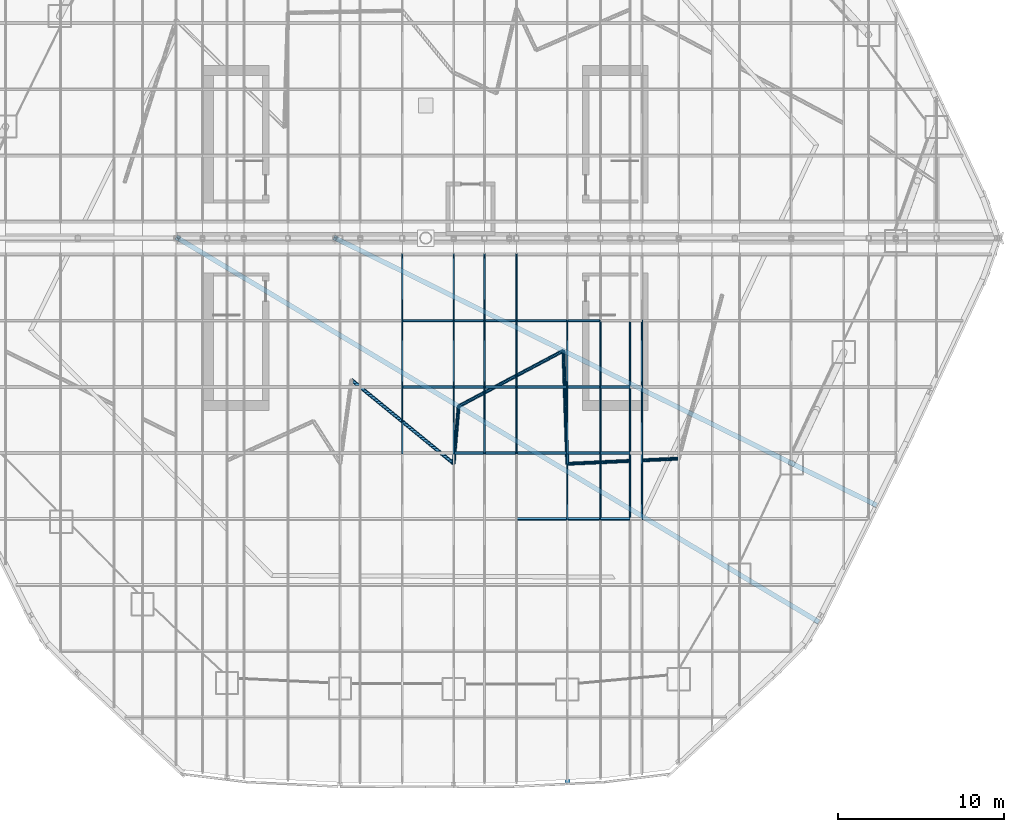
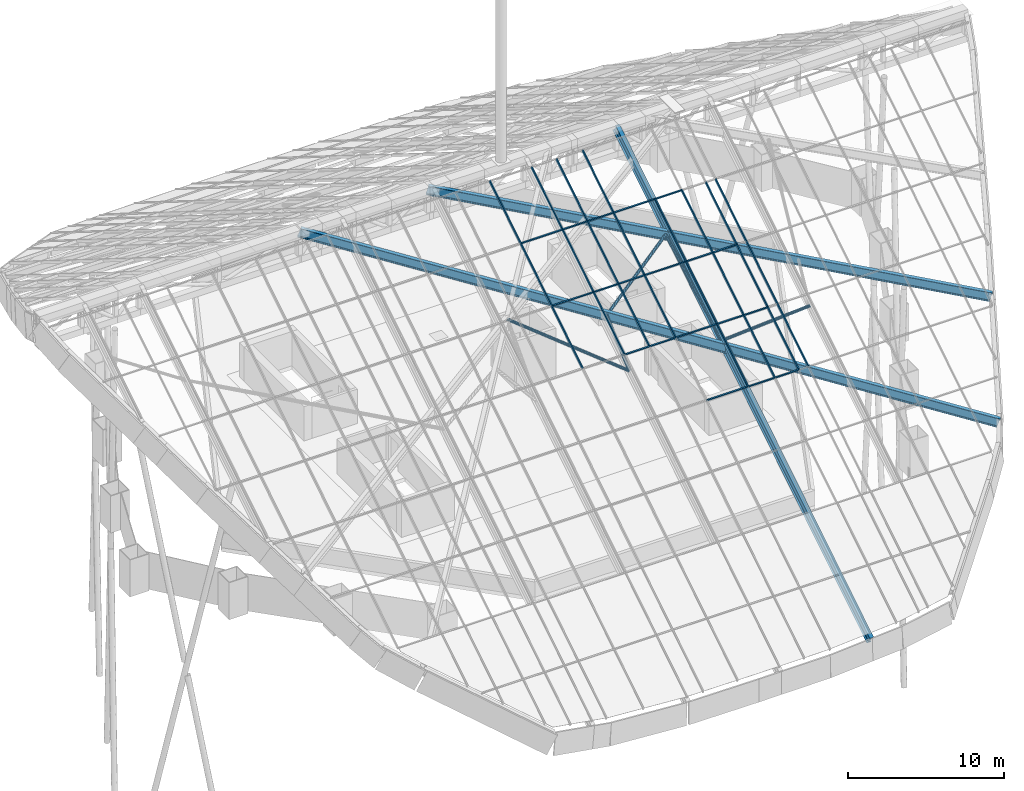
# One storey, part 7 of 38: 51 members, 26 elements without a shape of their own.
"""IFC4 building model written with IfcOpenShell, lengths in metres."""

from ifc_helpers import new_model, si_unit, direction, frame, origin, origin_2d, place, context, subcontext, project, spatial, rectangle, hollow_circle, i_section, extrude, material, layer, layer_set, material_profile, profile_set, type_object, element, aggregate, save


model = new_model("IFC4")

# Units and contexts
model_context = context("Model", 3, precision=1e-05, world=origin(), true_north=direction((0.0, 1.0)))
body_context = subcontext(model_context, "Body", "Model", "MODEL_VIEW")
ifc_project = project(units=[si_unit("LENGTHUNIT", "METRE"), si_unit("AREAUNIT", "SQUARE_METRE"), si_unit("VOLUMEUNIT", "CUBIC_METRE"), si_unit("PLANEANGLEUNIT", "RADIAN"), si_unit("MASSUNIT", "GRAM", prefix="KILO")], contexts=[model_context])

# Site, building, storey
site_placement = place(None, origin())
site = spatial("IfcSite", under=ifc_project, at=site_placement, CompositionType="ELEMENT")
building_placement = place(site_placement, origin())
building = spatial("IfcBuilding", under=site, at=building_placement, Name="Dongbaek Canopy Tower", CompositionType="ELEMENT")
storey_placement = place(building_placement, frame((0.0, 0.0, 375.800048828125)))
storey = spatial("IfcBuildingStorey", under=building, at=storey_placement, Name="Roof", CompositionType="ELEMENT", Elevation=375.800048828125)

# Curtain wall, member
ifc_material_1 = material(Name="Aluminium 6063-T6 pale anodised", Category="aluminium")
ifc_layer = layer(ifc_material_1, 0.199951171875)
ifc_layer_set = layer_set([ifc_layer], Name="CW-6 canopy glazing curtain wall")
curtain_wall_type = type_object("IfcCurtainWallType", Name="CW-6 canopy glazing curtain wall", PredefinedType="NOTDEFINED", material=ifc_layer_set)
curtain_wall_1_placement = place(storey_placement, origin())
curtain_wall_1 = element("IfcCurtainWall", 1, at=curtain_wall_1_placement, inside=storey, type_object=curtain_wall_type, Name="CW-6 canopy glazing south 15.1", PredefinedType="NOTDEFINED")
ifc_material_2 = material(Name="Aluminium 6063-T6 pale anodised", Category="aluminium")
ifc_material_profile_1 = material_profile(ifc_material_2, rectangle(XDim=0.080078125, YDim=0.199951171875, at=origin_2d()), Name="CW-6 mullion 80 x 200")
ifc_profile_set_1 = profile_set([ifc_material_profile_1], Name="Aluminium 6063-T6 pale anodised")
member_type_1 = type_object("IfcMemberType", Name="CW-6 mullion 80 x 200", PredefinedType="MULLION", material=ifc_profile_set_1)
member_1_placement = place(storey_placement, frame((-1.41796875, -1.0, 18.0986328125), z_axis=(0.0, -0.848068327403, -0.529886886095), x_axis=(1.0, 0.0, 0.0)))
member_1 = element("IfcMember", 2, at=member_1_placement, type_object=member_type_1, Name="CW-6 mullion S15.1.-1.4", PredefinedType="MULLION", context=body_context, shape_type="SweptSolid", body=[
    extrude(rectangle(XDim=0.080078125, YDim=0.199951171875, at=origin_2d()), origin(), (0.0, 0.0, 1.0), 4.700439453125),
])
aggregate(curtain_wall_1, [member_1])

curtain_wall_2_placement = place(storey_placement, origin())
curtain_wall_2 = element("IfcCurtainWall", 3, at=curtain_wall_2_placement, inside=storey, type_object=curtain_wall_type, Name="CW-6 canopy glazing south 15.2", PredefinedType="NOTDEFINED")
member_2_placement = place(storey_placement, frame((-1.41796875, -4.986328125, 15.60791015625), z_axis=(0.0, -0.848030400431, -0.529947582262), x_axis=(1.0, 0.0, 0.0)))
member_2 = element("IfcMember", 4, at=member_2_placement, type_object=member_type_1, Name="CW-6 mullion S15.2.-1.4", PredefinedType="MULLION", context=body_context, shape_type="SweptSolid", body=[
    extrude(rectangle(XDim=0.080078125, YDim=0.199951171875, at=origin_2d()), origin(), (0.0, 0.0, 1.0), 4.700439453125),
])
aggregate(curtain_wall_2, [member_2])

curtain_wall_3_placement = place(storey_placement, origin())
curtain_wall_3 = element("IfcCurtainWall", 5, at=curtain_wall_3_placement, inside=storey, type_object=curtain_wall_type, Name="CW-6 canopy glazing south 15.3", PredefinedType="NOTDEFINED")
member_3_placement = place(storey_placement, frame((-1.41796875, -8.972412109375, 13.116943359375), z_axis=(0.0, -0.848068327403, -0.529886886095), x_axis=(1.0, 0.0, 0.0)))
member_3 = element("IfcMember", 6, at=member_3_placement, type_object=member_type_1, Name="CW-6 mullion S15.3.-1.4", PredefinedType="MULLION", context=body_context, shape_type="SweptSolid", body=[
    extrude(rectangle(XDim=0.080078125, YDim=0.199951171875, at=origin_2d()), origin(), (0.0, 0.0, 1.0), 4.700439453125),
])
aggregate(curtain_wall_3, [member_3])

curtain_wall_4_placement = place(storey_placement, origin())
curtain_wall_4 = element("IfcCurtainWall", 7, at=curtain_wall_4_placement, inside=storey, type_object=curtain_wall_type, Name="CW-6 canopy glazing south 16.1", PredefinedType="NOTDEFINED")
member_4_placement = place(storey_placement, frame((1.68310546875, -1.0, 18.0986328125), z_axis=(0.0, -0.848068327403, -0.529886886095), x_axis=(1.0, 0.0, 0.0)))
member_4 = element("IfcMember", 8, at=member_4_placement, type_object=member_type_1, Name="CW-6 mullion S16.1.1.7", PredefinedType="MULLION", context=body_context, shape_type="SweptSolid", body=[
    extrude(rectangle(XDim=0.080078125, YDim=0.199951171875, at=origin_2d()), origin(), (0.0, 0.0, 1.0), 4.700439453125),
])

curtain_wall_5_placement = place(storey_placement, origin())
curtain_wall_5 = element("IfcCurtainWall", 9, at=curtain_wall_5_placement, inside=storey, type_object=curtain_wall_type, Name="CW-6 canopy glazing south 16.2", PredefinedType="NOTDEFINED")
member_5_placement = place(storey_placement, frame((1.68310546875, -4.986328125, 15.60791015625), z_axis=(0.0, -0.848030400431, -0.529947582262), x_axis=(1.0, 0.0, 0.0)))
member_5 = element("IfcMember", 10, at=member_5_placement, type_object=member_type_1, Name="CW-6 mullion S16.2.1.7", PredefinedType="MULLION", context=body_context, shape_type="SweptSolid", body=[
    extrude(rectangle(XDim=0.080078125, YDim=0.199951171875, at=origin_2d()), origin(), (0.0, 0.0, 1.0), 4.700439453125),
])

curtain_wall_6_placement = place(storey_placement, origin())
curtain_wall_6 = element("IfcCurtainWall", 11, at=curtain_wall_6_placement, inside=storey, type_object=curtain_wall_type, Name="CW-6 canopy glazing south 16.3", PredefinedType="NOTDEFINED")
member_6_placement = place(storey_placement, frame((1.68310546875, -8.972412109375, 13.116943359375), z_axis=(0.0, -0.848068327403, -0.529886886095), x_axis=(1.0, 0.0, 0.0)))
member_6 = element("IfcMember", 12, at=member_6_placement, type_object=member_type_1, Name="CW-6 mullion S16.3.1.7", PredefinedType="MULLION", context=body_context, shape_type="SweptSolid", body=[
    extrude(rectangle(XDim=0.080078125, YDim=0.199951171875, at=origin_2d()), origin(), (0.0, 0.0, 1.0), 4.700439453125),
])
aggregate(curtain_wall_6, [member_6])

curtain_wall_7_placement = place(storey_placement, origin())
curtain_wall_7 = element("IfcCurtainWall", 13, at=curtain_wall_7_placement, inside=storey, type_object=curtain_wall_type, Name="CW-6 canopy glazing south 17.1", PredefinedType="NOTDEFINED")
member_7_placement = place(storey_placement, frame((3.535400390625, -1.0, 18.0986328125), z_axis=(0.0, -0.848068327403, -0.529886886095), x_axis=(1.0, 0.0, 0.0)))
member_7 = element("IfcMember", 14, at=member_7_placement, type_object=member_type_1, Name="CW-6 mullion S17.1.3.5", PredefinedType="MULLION", context=body_context, shape_type="SweptSolid", body=[
    extrude(rectangle(XDim=0.080078125, YDim=0.199951171875, at=origin_2d()), origin(), (0.0, 0.0, 1.0), 4.700439453125),
])

curtain_wall_8_placement = place(storey_placement, origin())
curtain_wall_8 = element("IfcCurtainWall", 15, at=curtain_wall_8_placement, inside=storey, type_object=curtain_wall_type, Name="CW-6 canopy glazing south 17.2", PredefinedType="NOTDEFINED")
member_8_placement = place(storey_placement, frame((3.535400390625, -4.986328125, 15.60791015625), z_axis=(0.0, -0.848030400431, -0.529947582262), x_axis=(1.0, 0.0, 0.0)))
member_8 = element("IfcMember", 16, at=member_8_placement, type_object=member_type_1, Name="CW-6 mullion S17.2.3.5", PredefinedType="MULLION", context=body_context, shape_type="SweptSolid", body=[
    extrude(rectangle(XDim=0.080078125, YDim=0.199951171875, at=origin_2d()), origin(), (0.0, 0.0, 1.0), 4.700439453125),
])

curtain_wall_9_placement = place(storey_placement, origin())
curtain_wall_9 = element("IfcCurtainWall", 17, at=curtain_wall_9_placement, inside=storey, type_object=curtain_wall_type, Name="CW-6 canopy glazing south 17.3", PredefinedType="NOTDEFINED")
member_9_placement = place(storey_placement, frame((3.535400390625, -8.972412109375, 13.116943359375), z_axis=(0.0, -0.848068327403, -0.529886886095), x_axis=(1.0, 0.0, 0.0)))
member_9 = element("IfcMember", 18, at=member_9_placement, type_object=member_type_1, Name="CW-6 mullion S17.3.3.5", PredefinedType="MULLION", context=body_context, shape_type="SweptSolid", body=[
    extrude(rectangle(XDim=0.080078125, YDim=0.199951171875, at=origin_2d()), origin(), (0.0, 0.0, 1.0), 4.700439453125),
])

curtain_wall_10_placement = place(storey_placement, origin())
curtain_wall_10 = element("IfcCurtainWall", 19, at=curtain_wall_10_placement, inside=storey, type_object=curtain_wall_type, Name="CW-6 canopy glazing south 18.1", PredefinedType="NOTDEFINED")
member_10_placement = place(storey_placement, frame((5.470947265625, -1.0, 18.0986328125), z_axis=(0.0, -0.848068327403, -0.529886886095), x_axis=(1.0, 0.0, 0.0)))
member_10 = element("IfcMember", 20, at=member_10_placement, type_object=member_type_1, Name="CW-6 mullion S18.1.5.5", PredefinedType="MULLION", context=body_context, shape_type="SweptSolid", body=[
    extrude(rectangle(XDim=0.080078125, YDim=0.199951171875, at=origin_2d()), origin(), (0.0, 0.0, 1.0), 4.700439453125),
])

curtain_wall_11_placement = place(storey_placement, origin())
curtain_wall_11 = element("IfcCurtainWall", 21, at=curtain_wall_11_placement, inside=storey, type_object=curtain_wall_type, Name="CW-6 canopy glazing south 18.2", PredefinedType="NOTDEFINED")
member_11_placement = place(storey_placement, frame((5.470947265625, -4.986328125, 15.60791015625), z_axis=(0.0, -0.848030400431, -0.529947582262), x_axis=(1.0, 0.0, 0.0)))
member_11 = element("IfcMember", 22, at=member_11_placement, type_object=member_type_1, Name="CW-6 mullion S18.2.5.5", PredefinedType="MULLION", context=body_context, shape_type="SweptSolid", body=[
    extrude(rectangle(XDim=0.080078125, YDim=0.199951171875, at=origin_2d()), origin(), (0.0, 0.0, 1.0), 4.700439453125),
])

curtain_wall_12_placement = place(storey_placement, origin())
curtain_wall_12 = element("IfcCurtainWall", 23, at=curtain_wall_12_placement, inside=storey, type_object=curtain_wall_type, Name="CW-6 canopy glazing south 18.3", PredefinedType="NOTDEFINED")
member_12_placement = place(storey_placement, frame((5.470947265625, -8.972412109375, 13.116943359375), z_axis=(0.0, -0.848068327403, -0.529886886095), x_axis=(1.0, 0.0, 0.0)))
member_12 = element("IfcMember", 24, at=member_12_placement, type_object=member_type_1, Name="CW-6 mullion S18.3.5.5", PredefinedType="MULLION", context=body_context, shape_type="SweptSolid", body=[
    extrude(rectangle(XDim=0.080078125, YDim=0.199951171875, at=origin_2d()), origin(), (0.0, 0.0, 1.0), 4.700439453125),
])

curtain_wall_13_placement = place(storey_placement, origin())
curtain_wall_13 = element("IfcCurtainWall", 25, at=curtain_wall_13_placement, inside=storey, type_object=curtain_wall_type, Name="CW-6 canopy glazing south 19.2", PredefinedType="NOTDEFINED")
member_13_placement = place(storey_placement, frame((8.533935546875, -4.986328125, 15.60791015625), z_axis=(0.0, -0.848030400431, -0.529947582262), x_axis=(1.0, 0.0, 0.0)))
member_13 = element("IfcMember", 26, at=member_13_placement, type_object=member_type_1, Name="CW-6 mullion S19.2.8.5", PredefinedType="MULLION", context=body_context, shape_type="SweptSolid", body=[
    extrude(rectangle(XDim=0.080078125, YDim=0.199951171875, at=origin_2d()), origin(), (0.0, 0.0, 1.0), 4.700439453125),
])

curtain_wall_14_placement = place(storey_placement, origin())
curtain_wall_14 = element("IfcCurtainWall", 27, at=curtain_wall_14_placement, inside=storey, type_object=curtain_wall_type, Name="CW-6 canopy glazing south 19.3", PredefinedType="NOTDEFINED")
member_14_placement = place(storey_placement, frame((8.533935546875, -8.972412109375, 13.116943359375), z_axis=(0.0, -0.848068327403, -0.529886886095), x_axis=(1.0, 0.0, 0.0)))
member_14 = element("IfcMember", 28, at=member_14_placement, type_object=member_type_1, Name="CW-6 mullion S19.3.8.5", PredefinedType="MULLION", context=body_context, shape_type="SweptSolid", body=[
    extrude(rectangle(XDim=0.080078125, YDim=0.199951171875, at=origin_2d()), origin(), (0.0, 0.0, 1.0), 4.700439453125),
])

curtain_wall_15_placement = place(storey_placement, origin())
curtain_wall_15 = element("IfcCurtainWall", 29, at=curtain_wall_15_placement, inside=storey, type_object=curtain_wall_type, Name="CW-6 canopy glazing south 19.4", PredefinedType="NOTDEFINED")
member_15_placement = place(storey_placement, frame((8.533935546875, -12.958740234375, 10.626220703125), z_axis=(0.0, -0.848030400431, -0.529947582262), x_axis=(1.0, 0.0, 0.0)))
member_15 = element("IfcMember", 30, at=member_15_placement, type_object=member_type_1, Name="CW-6 mullion S19.4.8.5", PredefinedType="MULLION", context=body_context, shape_type="SweptSolid", body=[
    extrude(rectangle(XDim=0.080078125, YDim=0.199951171875, at=origin_2d()), origin(), (0.0, 0.0, 1.0), 4.700439453125),
])

curtain_wall_16_placement = place(storey_placement, origin())
curtain_wall_16 = element("IfcCurtainWall", 31, at=curtain_wall_16_placement, inside=storey, type_object=curtain_wall_type, Name="CW-6 canopy glazing south 20.2", PredefinedType="NOTDEFINED")
member_16_placement = place(storey_placement, frame((10.535400390625, -4.986328125, 15.60791015625), z_axis=(0.0, -0.848030400431, -0.529947582262), x_axis=(1.0, 0.0, 0.0)))
member_16 = element("IfcMember", 32, at=member_16_placement, type_object=member_type_1, Name="CW-6 mullion S20.2.10.5", PredefinedType="MULLION", context=body_context, shape_type="SweptSolid", body=[
    extrude(rectangle(XDim=0.080078125, YDim=0.199951171875, at=origin_2d()), origin(), (0.0, 0.0, 1.0), 4.700439453125),
])

curtain_wall_17_placement = place(storey_placement, origin())
curtain_wall_17 = element("IfcCurtainWall", 33, at=curtain_wall_17_placement, inside=storey, type_object=curtain_wall_type, Name="CW-6 canopy glazing south 20.3", PredefinedType="NOTDEFINED")
member_17_placement = place(storey_placement, frame((10.535400390625, -8.972412109375, 13.116943359375), z_axis=(0.0, -0.848068327403, -0.529886886095), x_axis=(1.0, 0.0, 0.0)))
member_17 = element("IfcMember", 34, at=member_17_placement, type_object=member_type_1, Name="CW-6 mullion S20.3.10.5", PredefinedType="MULLION", context=body_context, shape_type="SweptSolid", body=[
    extrude(rectangle(XDim=0.080078125, YDim=0.199951171875, at=origin_2d()), origin(), (0.0, 0.0, 1.0), 4.700439453125),
])

curtain_wall_18_placement = place(storey_placement, origin())
curtain_wall_18 = element("IfcCurtainWall", 35, at=curtain_wall_18_placement, inside=storey, type_object=curtain_wall_type, Name="CW-6 canopy glazing south 20.4", PredefinedType="NOTDEFINED")
member_18_placement = place(storey_placement, frame((10.535400390625, -12.958740234375, 10.626220703125), z_axis=(0.0, -0.848030400431, -0.529947582262), x_axis=(1.0, 0.0, 0.0)))
member_18 = element("IfcMember", 36, at=member_18_placement, type_object=member_type_1, Name="CW-6 mullion S20.4.10.5", PredefinedType="MULLION", context=body_context, shape_type="SweptSolid", body=[
    extrude(rectangle(XDim=0.080078125, YDim=0.199951171875, at=origin_2d()), origin(), (0.0, 0.0, 1.0), 4.700439453125),
])

curtain_wall_19_placement = place(storey_placement, origin())
curtain_wall_19 = element("IfcCurtainWall", 37, at=curtain_wall_19_placement, inside=storey, type_object=curtain_wall_type, Name="CW-6 canopy glazing south 21.2", PredefinedType="NOTDEFINED")
member_19_placement = place(storey_placement, frame((12.31396484375, -4.986328125, 15.60791015625), z_axis=(0.0, -0.848030400431, -0.529947582262), x_axis=(1.0, 0.0, 0.0)))
member_19 = element("IfcMember", 38, at=member_19_placement, type_object=member_type_1, Name="CW-6 mullion S21.2.12.3", PredefinedType="MULLION", context=body_context, shape_type="SweptSolid", body=[
    extrude(rectangle(XDim=0.080078125, YDim=0.199951171875, at=origin_2d()), origin(), (0.0, 0.0, 1.0), 4.700439453125),
])

curtain_wall_20_placement = place(storey_placement, origin())
curtain_wall_20 = element("IfcCurtainWall", 39, at=curtain_wall_20_placement, inside=storey, type_object=curtain_wall_type, Name="CW-6 canopy glazing south 21.3", PredefinedType="NOTDEFINED")
member_20_placement = place(storey_placement, frame((12.31396484375, -8.972412109375, 13.116943359375), z_axis=(0.0, -0.848068327403, -0.529886886095), x_axis=(1.0, 0.0, 0.0)))
member_20 = element("IfcMember", 40, at=member_20_placement, type_object=member_type_1, Name="CW-6 mullion S21.3.12.3", PredefinedType="MULLION", context=body_context, shape_type="SweptSolid", body=[
    extrude(rectangle(XDim=0.080078125, YDim=0.199951171875, at=origin_2d()), origin(), (0.0, 0.0, 1.0), 4.700439453125),
])

curtain_wall_21_placement = place(storey_placement, origin())
curtain_wall_21 = element("IfcCurtainWall", 41, at=curtain_wall_21_placement, inside=storey, type_object=curtain_wall_type, Name="CW-6 canopy glazing south 21.4", PredefinedType="NOTDEFINED")
member_21_placement = place(storey_placement, frame((12.31396484375, -12.958740234375, 10.626220703125), z_axis=(0.0, -0.848030400431, -0.529947582262), x_axis=(1.0, 0.0, 0.0)))
member_21 = element("IfcMember", 42, at=member_21_placement, type_object=member_type_1, Name="CW-6 mullion S21.4.12.3", PredefinedType="MULLION", context=body_context, shape_type="SweptSolid", body=[
    extrude(rectangle(XDim=0.080078125, YDim=0.199951171875, at=origin_2d()), origin(), (0.0, 0.0, 1.0), 4.700439453125),
])

curtain_wall_22_placement = place(storey_placement, origin())
curtain_wall_22 = element("IfcCurtainWall", 43, at=curtain_wall_22_placement, inside=storey, type_object=curtain_wall_type, Name="CW-6 canopy glazing south 22.2", PredefinedType="NOTDEFINED")
member_22_placement = place(storey_placement, frame((13.035400390625, -4.986328125, 15.60791015625), z_axis=(0.0, -0.848030400431, -0.529947582262), x_axis=(1.0, 0.0, 0.0)))
member_22 = element("IfcMember", 44, at=member_22_placement, type_object=member_type_1, Name="CW-6 mullion S22.2.13.0", PredefinedType="MULLION", context=body_context, shape_type="SweptSolid", body=[
    extrude(rectangle(XDim=0.080078125, YDim=0.199951171875, at=origin_2d()), origin(), (0.0, 0.0, 1.0), 4.700439453125),
])
aggregate(curtain_wall_22, [member_22])

curtain_wall_23_placement = place(storey_placement, origin())
curtain_wall_23 = element("IfcCurtainWall", 45, at=curtain_wall_23_placement, inside=storey, type_object=curtain_wall_type, Name="CW-6 canopy glazing south 22.3", PredefinedType="NOTDEFINED")
member_23_placement = place(storey_placement, frame((13.035400390625, -8.972412109375, 13.116943359375), z_axis=(0.0, -0.848068327403, -0.529886886095), x_axis=(1.0, 0.0, 0.0)))
member_23 = element("IfcMember", 46, at=member_23_placement, type_object=member_type_1, Name="CW-6 mullion S22.3.13.0", PredefinedType="MULLION", context=body_context, shape_type="SweptSolid", body=[
    extrude(rectangle(XDim=0.080078125, YDim=0.199951171875, at=origin_2d()), origin(), (0.0, 0.0, 1.0), 4.700439453125),
])
aggregate(curtain_wall_23, [member_23])

curtain_wall_24_placement = place(storey_placement, origin())
curtain_wall_24 = element("IfcCurtainWall", 47, at=curtain_wall_24_placement, inside=storey, type_object=curtain_wall_type, Name="CW-6 canopy glazing south 22.4", PredefinedType="NOTDEFINED")
member_24_placement = place(storey_placement, frame((13.035400390625, -12.958740234375, 10.626220703125), z_axis=(0.0, -0.848030400431, -0.529947582262), x_axis=(1.0, 0.0, 0.0)))
member_24 = element("IfcMember", 48, at=member_24_placement, type_object=member_type_1, Name="CW-6 mullion S22.4.13.0", PredefinedType="MULLION", context=body_context, shape_type="SweptSolid", body=[
    extrude(rectangle(XDim=0.080078125, YDim=0.199951171875, at=origin_2d()), origin(), (0.0, 0.0, 1.0), 4.700439453125),
])
aggregate(curtain_wall_24, [member_24])

# Member
ifc_material_3 = material(Name="Aluminium 6063-T6 pale anodised", Category="aluminium")
ifc_material_profile_2 = material_profile(ifc_material_3, rectangle(XDim=0.080078125, YDim=0.199951171875, at=origin_2d()), Name="CW-6 transom 80 x 200")
ifc_profile_set_2 = profile_set([ifc_material_profile_2], Name="Aluminium 6063-T6 pale anodised")
member_type_2 = type_object("IfcMemberType", Name="CW-6 transom 80 x 200", PredefinedType="USERDEFINED", material=ifc_profile_set_2)
member_25_placement = place(storey_placement, frame((-1.41796875, -4.986328125, 15.60791015625), z_axis=(1.0, 0.0, 0.0), x_axis=(0.0, 0.848048096156, 0.529919264233)))
member_25 = element("IfcMember", 49, at=member_25_placement, type_object=member_type_2, Name="CW-6 transom S16.1.2", ObjectType="TRANSOM", PredefinedType="USERDEFINED", context=body_context, shape_type="SweptSolid", body=[
    extrude(rectangle(XDim=0.080078125, YDim=0.199951171875, at=origin_2d()), origin(), (0.0, 0.0, 1.0), 3.10107421875),
])

aggregate(curtain_wall_4, [member_4, member_25])

member_26_placement = place(storey_placement, frame((-1.41796875, -8.972412109375, 13.116943359375), z_axis=(1.0, 0.0, 0.0), x_axis=(0.0, 0.848048096156, 0.529919264233)))
member_26 = element("IfcMember", 50, at=member_26_placement, type_object=member_type_2, Name="CW-6 transom S16.2.3", ObjectType="TRANSOM", PredefinedType="USERDEFINED", context=body_context, shape_type="SweptSolid", body=[
    extrude(rectangle(XDim=0.080078125, YDim=0.199951171875, at=origin_2d()), origin(), (0.0, 0.0, 1.0), 3.10107421875),
])

aggregate(curtain_wall_5, [member_5, member_26])

member_27_placement = place(storey_placement, frame((1.68310546875, -4.986328125, 15.60791015625), z_axis=(1.0, 0.0, 0.0), x_axis=(0.0, 0.848048096156, 0.529919264233)))
member_27 = element("IfcMember", 51, at=member_27_placement, type_object=member_type_2, Name="CW-6 transom S17.1.2", ObjectType="TRANSOM", PredefinedType="USERDEFINED", context=body_context, shape_type="SweptSolid", body=[
    extrude(rectangle(XDim=0.080078125, YDim=0.199951171875, at=origin_2d()), origin(), (0.0, 0.0, 1.0), 1.852294921875),
])

aggregate(curtain_wall_7, [member_7, member_27])

member_28_placement = place(storey_placement, frame((1.68310546875, -8.972412109375, 13.116943359375), z_axis=(1.0, 0.0, 0.0), x_axis=(0.0, 0.848048096156, 0.529919264233)))
member_28 = element("IfcMember", 52, at=member_28_placement, type_object=member_type_2, Name="CW-6 transom S17.2.3", ObjectType="TRANSOM", PredefinedType="USERDEFINED", context=body_context, shape_type="SweptSolid", body=[
    extrude(rectangle(XDim=0.080078125, YDim=0.199951171875, at=origin_2d()), origin(), (0.0, 0.0, 1.0), 1.852294921875),
])

aggregate(curtain_wall_8, [member_8, member_28])

member_29_placement = place(storey_placement, frame((1.68310546875, -12.958740234375, 10.626220703125), z_axis=(1.0, 0.0, 0.0), x_axis=(0.0, 0.848048096156, 0.529919264233)))
member_29 = element("IfcMember", 53, at=member_29_placement, type_object=member_type_2, Name="CW-6 transom S17.3.4", ObjectType="TRANSOM", PredefinedType="USERDEFINED", context=body_context, shape_type="SweptSolid", body=[
    extrude(rectangle(XDim=0.080078125, YDim=0.199951171875, at=origin_2d()), origin(), (0.0, 0.0, 1.0), 1.852294921875),
])

aggregate(curtain_wall_9, [member_9, member_29])

member_30_placement = place(storey_placement, frame((3.535400390625, -4.986328125, 15.60791015625), z_axis=(1.0, 0.0, 0.0), x_axis=(0.0, 0.848048096156, 0.529919264233)))
member_30 = element("IfcMember", 54, at=member_30_placement, type_object=member_type_2, Name="CW-6 transom S18.1.2", ObjectType="TRANSOM", PredefinedType="USERDEFINED", context=body_context, shape_type="SweptSolid", body=[
    extrude(rectangle(XDim=0.080078125, YDim=0.199951171875, at=origin_2d()), origin(), (0.0, 0.0, 1.0), 1.935546875),
])

aggregate(curtain_wall_10, [member_10, member_30])

member_31_placement = place(storey_placement, frame((3.535400390625, -8.972412109375, 13.116943359375), z_axis=(1.0, 0.0, 0.0), x_axis=(0.0, 0.848048096156, 0.529919264233)))
member_31 = element("IfcMember", 55, at=member_31_placement, type_object=member_type_2, Name="CW-6 transom S18.2.3", ObjectType="TRANSOM", PredefinedType="USERDEFINED", context=body_context, shape_type="SweptSolid", body=[
    extrude(rectangle(XDim=0.080078125, YDim=0.199951171875, at=origin_2d()), origin(), (0.0, 0.0, 1.0), 1.935546875),
])

aggregate(curtain_wall_11, [member_11, member_31])

member_32_placement = place(storey_placement, frame((3.535400390625, -12.958740234375, 10.626220703125), z_axis=(1.0, 0.0, 0.0), x_axis=(0.0, 0.848048096156, 0.529919264233)))
member_32 = element("IfcMember", 56, at=member_32_placement, type_object=member_type_2, Name="CW-6 transom S18.3.4", ObjectType="TRANSOM", PredefinedType="USERDEFINED", context=body_context, shape_type="SweptSolid", body=[
    extrude(rectangle(XDim=0.080078125, YDim=0.199951171875, at=origin_2d()), origin(), (0.0, 0.0, 1.0), 1.935546875),
])

aggregate(curtain_wall_12, [member_12, member_32])

# Curtain wall, member
curtain_wall_25_placement = place(storey_placement, origin())
curtain_wall_25 = element("IfcCurtainWall", 57, at=curtain_wall_25_placement, inside=storey, type_object=curtain_wall_type, Name="CW-6 canopy glazing south 19.1", PredefinedType="NOTDEFINED")
member_33_placement = place(storey_placement, frame((5.470947265625, -4.986328125, 15.60791015625), z_axis=(1.0, 0.0, 0.0), x_axis=(0.0, 0.848048096156, 0.529919264233)))
member_33 = element("IfcMember", 58, at=member_33_placement, type_object=member_type_2, Name="CW-6 transom S19.1.2", ObjectType="TRANSOM", PredefinedType="USERDEFINED", context=body_context, shape_type="SweptSolid", body=[
    extrude(rectangle(XDim=0.080078125, YDim=0.199951171875, at=origin_2d()), origin(), (0.0, 0.0, 1.0), 3.06298828125),
])
aggregate(curtain_wall_25, [member_33])

# Member
member_34_placement = place(storey_placement, frame((5.470947265625, -8.972412109375, 13.116943359375), z_axis=(1.0, 0.0, 0.0), x_axis=(0.0, 0.848048096156, 0.529919264233)))
member_34 = element("IfcMember", 59, at=member_34_placement, type_object=member_type_2, Name="CW-6 transom S19.2.3", ObjectType="TRANSOM", PredefinedType="USERDEFINED", context=body_context, shape_type="SweptSolid", body=[
    extrude(rectangle(XDim=0.080078125, YDim=0.199951171875, at=origin_2d()), origin(), (0.0, 0.0, 1.0), 3.06298828125),
])

aggregate(curtain_wall_13, [member_13, member_34])

member_35_placement = place(storey_placement, frame((5.470947265625, -12.958740234375, 10.626220703125), z_axis=(1.0, 0.0, 0.0), x_axis=(0.0, 0.848048096156, 0.529919264233)))
member_35 = element("IfcMember", 60, at=member_35_placement, type_object=member_type_2, Name="CW-6 transom S19.3.4", ObjectType="TRANSOM", PredefinedType="USERDEFINED", context=body_context, shape_type="SweptSolid", body=[
    extrude(rectangle(XDim=0.080078125, YDim=0.199951171875, at=origin_2d()), origin(), (0.0, 0.0, 1.0), 3.06298828125),
])

aggregate(curtain_wall_14, [member_14, member_35])

member_36_placement = place(storey_placement, frame((5.470947265625, -16.94482421875, 8.13525390625), z_axis=(1.0, 0.0, 0.0), x_axis=(0.0, 0.848048096156, 0.529919264233)))
member_36 = element("IfcMember", 61, at=member_36_placement, type_object=member_type_2, Name="CW-6 transom S19.4.5", ObjectType="TRANSOM", PredefinedType="USERDEFINED", context=body_context, shape_type="SweptSolid", body=[
    extrude(rectangle(XDim=0.080078125, YDim=0.199951171875, at=origin_2d()), origin(), (0.0, 0.0, 1.0), 3.06298828125),
])

aggregate(curtain_wall_15, [member_15, member_36])

# Curtain wall, member
curtain_wall_26_placement = place(storey_placement, origin())
curtain_wall_26 = element("IfcCurtainWall", 62, at=curtain_wall_26_placement, inside=storey, type_object=curtain_wall_type, Name="CW-6 canopy glazing south 20.1", PredefinedType="NOTDEFINED")
member_37_placement = place(storey_placement, frame((8.533935546875, -4.986328125, 15.60791015625), z_axis=(1.0, 0.0, 0.0), x_axis=(0.0, 0.848048096156, 0.529919264233)))
member_37 = element("IfcMember", 63, at=member_37_placement, type_object=member_type_2, Name="CW-6 transom S20.1.2", ObjectType="TRANSOM", PredefinedType="USERDEFINED", context=body_context, shape_type="SweptSolid", body=[
    extrude(rectangle(XDim=0.080078125, YDim=0.199951171875, at=origin_2d()), origin(), (0.0, 0.0, 1.0), 2.00146484375),
])
aggregate(curtain_wall_26, [member_37])

# Member
member_38_placement = place(storey_placement, frame((8.533935546875, -8.972412109375, 13.116943359375), z_axis=(1.0, 0.0, 0.0), x_axis=(0.0, 0.848048096156, 0.529919264233)))
member_38 = element("IfcMember", 64, at=member_38_placement, type_object=member_type_2, Name="CW-6 transom S20.2.3", ObjectType="TRANSOM", PredefinedType="USERDEFINED", context=body_context, shape_type="SweptSolid", body=[
    extrude(rectangle(XDim=0.080078125, YDim=0.199951171875, at=origin_2d()), origin(), (0.0, 0.0, 1.0), 2.00146484375),
])

aggregate(curtain_wall_16, [member_16, member_38])

member_39_placement = place(storey_placement, frame((8.533935546875, -12.958740234375, 10.626220703125), z_axis=(1.0, 0.0, 0.0), x_axis=(0.0, 0.848048096156, 0.529919264233)))
member_39 = element("IfcMember", 65, at=member_39_placement, type_object=member_type_2, Name="CW-6 transom S20.3.4", ObjectType="TRANSOM", PredefinedType="USERDEFINED", context=body_context, shape_type="SweptSolid", body=[
    extrude(rectangle(XDim=0.080078125, YDim=0.199951171875, at=origin_2d()), origin(), (0.0, 0.0, 1.0), 2.00146484375),
])

aggregate(curtain_wall_17, [member_17, member_39])

member_40_placement = place(storey_placement, frame((8.533935546875, -16.94482421875, 8.13525390625), z_axis=(1.0, 0.0, 0.0), x_axis=(0.0, 0.848048096156, 0.529919264233)))
member_40 = element("IfcMember", 66, at=member_40_placement, type_object=member_type_2, Name="CW-6 transom S20.4.5", ObjectType="TRANSOM", PredefinedType="USERDEFINED", context=body_context, shape_type="SweptSolid", body=[
    extrude(rectangle(XDim=0.080078125, YDim=0.199951171875, at=origin_2d()), origin(), (0.0, 0.0, 1.0), 2.00146484375),
])

aggregate(curtain_wall_18, [member_18, member_40])

member_41_placement = place(storey_placement, frame((10.535400390625, -8.972412109375, 13.116943359375), z_axis=(1.0, 0.0, 0.0), x_axis=(0.0, 0.848048096156, 0.529919264233)))
member_41 = element("IfcMember", 67, at=member_41_placement, type_object=member_type_2, Name="CW-6 transom S21.2.3", ObjectType="TRANSOM", PredefinedType="USERDEFINED", context=body_context, shape_type="SweptSolid", body=[
    extrude(rectangle(XDim=0.080078125, YDim=0.199951171875, at=origin_2d()), origin(), (0.0, 0.0, 1.0), 1.778564453125),
])

aggregate(curtain_wall_19, [member_19, member_41])

member_42_placement = place(storey_placement, frame((10.535400390625, -12.958740234375, 10.626220703125), z_axis=(1.0, 0.0, 0.0), x_axis=(0.0, 0.848048096156, 0.529919264233)))
member_42 = element("IfcMember", 68, at=member_42_placement, type_object=member_type_2, Name="CW-6 transom S21.3.4", ObjectType="TRANSOM", PredefinedType="USERDEFINED", context=body_context, shape_type="SweptSolid", body=[
    extrude(rectangle(XDim=0.080078125, YDim=0.199951171875, at=origin_2d()), origin(), (0.0, 0.0, 1.0), 1.778564453125),
])

aggregate(curtain_wall_20, [member_20, member_42])

member_43_placement = place(storey_placement, frame((10.535400390625, -16.94482421875, 8.13525390625), z_axis=(1.0, 0.0, 0.0), x_axis=(0.0, 0.848048096156, 0.529919264233)))
member_43 = element("IfcMember", 69, at=member_43_placement, type_object=member_type_2, Name="CW-6 transom S21.4.5", ObjectType="TRANSOM", PredefinedType="USERDEFINED", context=body_context, shape_type="SweptSolid", body=[
    extrude(rectangle(XDim=0.080078125, YDim=0.199951171875, at=origin_2d()), origin(), (0.0, 0.0, 1.0), 1.778564453125),
])

aggregate(curtain_wall_21, [member_21, member_43])

# Members
ifc_material_4 = material(Name="Steel S355", Category="steel")
ifc_material_profile_3 = material_profile(ifc_material_4, hollow_circle(Radius=0.108154296875, WallThickness=0.00830078125, at=origin_2d()), Name="PURLIN CHS 216.3x8.2 Steel S355")
ifc_profile_set_3 = profile_set([ifc_material_profile_3], Name="Steel S355")
member_type_3 = type_object("IfcMemberType", Name="PURLIN CHS 216.3x8.2 Steel S355", PredefinedType="PURLIN", material=ifc_profile_set_3)
member_44_placement = place(storey_placement, frame((-4.475341796875, -8.555908203125, 12.9052734375), z_axis=(0.71940785947, -0.589044595817, -0.368074443382), x_axis=(0.633520030797, 0.773726289187, 0.0)))
element("IfcMember", 70, at=member_44_placement, inside=storey, type_object=member_type_3, Name="PURLIN:0:05", PredefinedType="PURLIN", context=body_context, shape_type="SweptSolid", body=[
    extrude(hollow_circle(Radius=0.108154296875, WallThickness=0.00830078125, at=origin_2d()), origin(), (0.0, 0.0, 1.0), 8.560546875),
])
member_45_placement = place(storey_placement, frame((1.68310546875, -13.598388671875, 9.75439453125), z_axis=(0.072830261871, 0.845776574377, 0.52854303438), x_axis=(-0.996312980918, 0.085793030339, 0.0)))
element("IfcMember", 71, at=member_45_placement, inside=storey, type_object=member_type_3, Name="PURLIN:0:06", PredefinedType="PURLIN", context=body_context, shape_type="SweptSolid", body=[
    extrude(hollow_circle(Radius=0.108154296875, WallThickness=0.00830078125, at=origin_2d()), origin(), (0.0, 0.0, 1.0), 4.07958984375),
])
member_46_placement = place(storey_placement, frame((1.980224609375, -10.14794921875, 11.91064453125), z_axis=(0.847760030721, 0.449794434868, 0.281047854776), x_axis=(-0.468685382748, 0.883365163451, 0.0)))
element("IfcMember", 72, at=member_46_placement, inside=storey, type_object=member_type_3, Name="PURLIN:0:07", PredefinedType="PURLIN", context=body_context, shape_type="SweptSolid", body=[
    extrude(hollow_circle(Radius=0.108154296875, WallThickness=0.00830078125, at=origin_2d()), origin(), (0.0, 0.0, 1.0), 7.456787109375),
])
member_47_placement = place(storey_placement, frame((8.3017578125, -6.7939453125, 14.00634765625), z_axis=(0.028860629334, -0.847701324052, -0.529688143415), x_axis=(0.999420946717, 0.034026038031, 0.0)))
element("IfcMember", 73, at=member_47_placement, inside=storey, type_object=member_type_3, Name="PURLIN:0:08", PredefinedType="PURLIN", context=body_context, shape_type="SweptSolid", body=[
    extrude(hollow_circle(Radius=0.108154296875, WallThickness=0.00830078125, at=origin_2d()), origin(), (0.0, 0.0, 1.0), 8.044677734375),
])
member_48_placement = place(storey_placement, frame((8.533935546875, -13.613525390625, 9.7451171875), z_axis=(0.998522961597, 0.046085116882, 0.028775982431), x_axis=(-0.046104209295, 0.998936635571, 0.0)))
element("IfcMember", 74, at=member_48_placement, inside=storey, type_object=member_type_3, Name="PURLIN:0:09", PredefinedType="PURLIN", context=body_context, shape_type="SweptSolid", body=[
    extrude(hollow_circle(Radius=0.108154296875, WallThickness=0.00830078125, at=origin_2d()), origin(), (0.0, 0.0, 1.0), 6.72802734375),
])
ifc_material_5 = material(Name="Steel S355", Category="steel")
ifc_material_profile_4 = material_profile(ifc_material_5, i_section(OverallWidth=0.300048828125, OverallDepth=0.699951171875, WebThickness=0.012939453125, FlangeThickness=0.02392578125, FilletRadius=0.028076171875, at=origin_2d()), Name="RAFTER H 700x300x13x24 Steel S355")
ifc_profile_set_4 = profile_set([ifc_material_profile_4], Name="Steel S355")
member_type_4 = type_object("IfcMemberType", Name="RAFTER H 700x300x13x24 Steel S355", PredefinedType="RAFTER", material=ifc_profile_set_4)
member_49_placement = place(storey_placement, frame((8.533935546875, -32.7080078125, -2.1865234375), z_axis=(0.0, 0.848048087093, 0.529919278737), x_axis=(-1.0, 0.0, 0.0)))
element("IfcMember", 75, at=member_49_placement, inside=storey, type_object=member_type_4, Name="RAFTER:08", PredefinedType="RAFTER", context=body_context, shape_type="SweptSolid", body=[
    extrude(i_section(OverallWidth=0.300048828125, OverallDepth=0.699951171875, WebThickness=0.012939453125, FlangeThickness=0.02392578125, FilletRadius=0.028076171875, at=origin_2d()), origin(), (0.0, 0.0, 1.0), 38.568603515625),
])
member_50_placement = place(storey_placement, frame((23.611572265625, -23.102783203125, 3.8154296875), z_axis=(-0.816847185129, 0.489199485352, 0.305686996252), x_axis=(-0.513793732751, -0.857913748687, 0.0)))
element("IfcMember", 76, at=member_50_placement, inside=storey, type_object=member_type_4, Name="RAFTER:10", PredefinedType="RAFTER", context=body_context, shape_type="SweptSolid", body=[
    extrude(i_section(OverallWidth=0.300048828125, OverallDepth=0.699951171875, WebThickness=0.012939453125, FlangeThickness=0.02392578125, FilletRadius=0.028076171875, at=origin_2d()), origin(), (0.0, 0.0, 1.0), 47.2255859375),
])
member_51_placement = place(storey_placement, frame((27.105224609375, -16.073974609375, 8.20751953125), z_axis=(-0.864297612854, 0.426551208587, 0.266540246244), x_axis=(-0.442561403081, -0.896738202879, 0.0)))
element("IfcMember", 77, at=member_51_placement, inside=storey, type_object=member_type_4, Name="RAFTER:11", PredefinedType="RAFTER", context=body_context, shape_type="SweptSolid", body=[
    extrude(i_section(OverallWidth=0.300048828125, OverallDepth=0.699951171875, WebThickness=0.012939453125, FlangeThickness=0.02392578125, FilletRadius=0.028076171875, at=origin_2d()), origin(), (0.0, 0.0, 1.0), 37.68359375),
])

save(model, "model.ifc")
